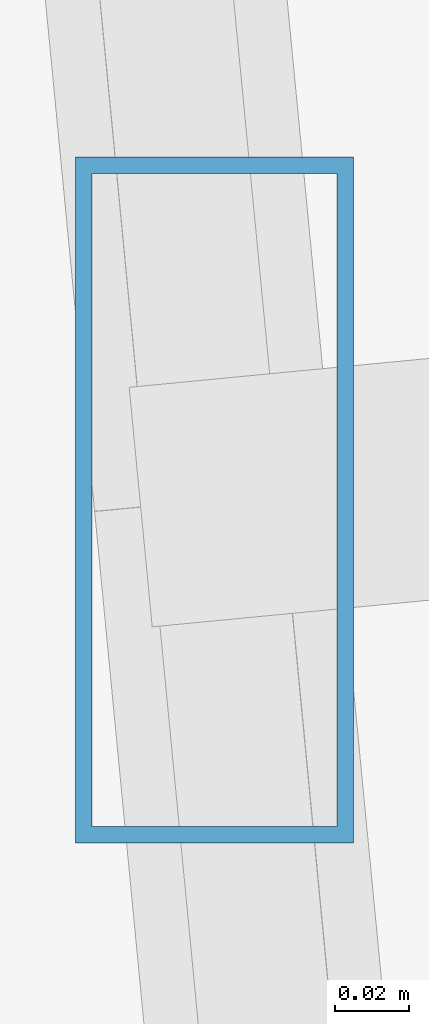
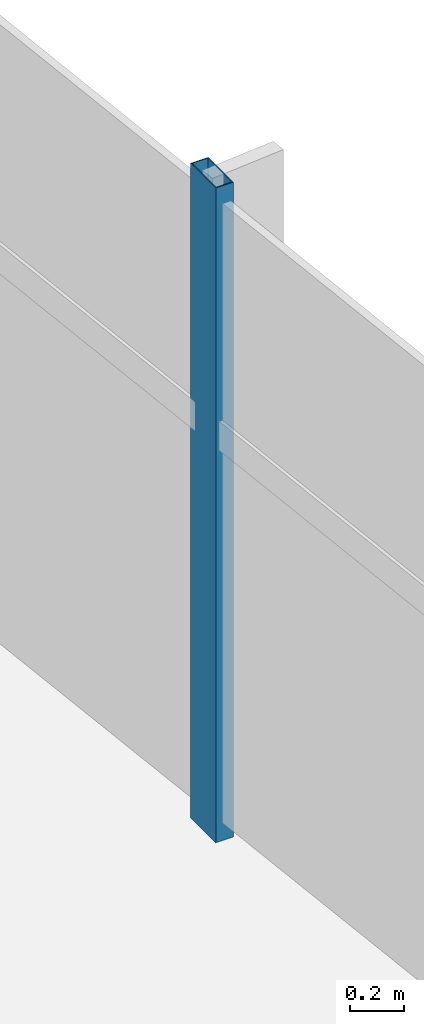
# One storey, part 16 of 27: 1 member, 1 element without a shape of its own.
"""IFC4 building model written with IfcOpenShell, lengths in metres."""

from ifc_helpers import new_model, si_unit, direction, frame, origin, origin_2d, place, context, subcontext, project, spatial, hollow_rectangle, extrude, source, transform, mapped, material, material_profile, profile_set, type_object, type_shapes, element, aggregate, save


model = new_model("IFC4")

# Units and contexts
model_context = context("Model", 3, precision=1e-05, world=origin(), true_north=direction((0.0, 1.0)))
body_context = subcontext(model_context, "Body", "Model", "MODEL_VIEW")
ifc_project = project(units=[si_unit("LENGTHUNIT", "METRE"), si_unit("AREAUNIT", "SQUARE_METRE"), si_unit("VOLUMEUNIT", "CUBIC_METRE"), si_unit("PLANEANGLEUNIT", "RADIAN"), si_unit("MASSUNIT", "GRAM", prefix="KILO")], contexts=[model_context])

# Site, building, storey
site_placement = place(None, origin())
site = spatial("IfcSite", under=ifc_project, at=site_placement, CompositionType="ELEMENT")
building_placement = place(site_placement, origin())
building = spatial("IfcBuilding", under=site, at=building_placement, Name="Astriad Promenade Condominiums", CompositionType="ELEMENT")
storey_placement = place(building_placement, frame((0.0, 0.0, 109.800048828125)))
storey = spatial("IfcBuildingStorey", under=building, at=storey_placement, Name="L31", CompositionType="ELEMENT", Elevation=109.800048828125)

# Curtain wall, member
ifc_material_1 = material(Name="Anodised aluminium Black Dark Glass Unitised", Category="aluminium")
curtain_wall_type = type_object("IfcCurtainWallType", Name="CW-B2-DARK", PredefinedType="USERDEFINED", material=ifc_material_1)
curtain_wall_placement = place(storey_placement, origin())
curtain_wall = element("IfcCurtainWall", 1, at=curtain_wall_placement, inside=storey, type_object=curtain_wall_type, Name="CW-L31-E", ObjectType="UNITISED_CURTAIN_WALL", PredefinedType="USERDEFINED")
ifc_material_2 = material(Name="Anodised aluminium 6063-T6 Black", Category="aluminium")
ifc_material_profile = material_profile(ifc_material_2, hollow_rectangle(XDim=0.074951171875, YDim=0.18505859375, WallThickness=0.00439453125, at=origin_2d()), Name="ALU-MUL-75X185")
ifc_profile_set = profile_set([ifc_material_profile], Name="Anodised aluminium 6063-T6 Black")
member_type = type_object("IfcMemberType", Name="MUL-ALU-MUL-75X185", PredefinedType="MULLION", material=ifc_profile_set)
shared_shape = source(origin(), body_context, "Body", "SweptSolid", [
    extrude(hollow_rectangle(XDim=0.074951171875, YDim=0.18505859375, WallThickness=0.00439453125, at=origin_2d()), origin(), (0.0, 0.0, 1.0), 2.93994140625),
])
type_shapes(member_type, [shared_shape])
member_placement = place(storey_placement, frame((68.972900390625, 16.6552734375, 0.0), z_axis=(0.0, 0.0, 1.0), x_axis=(1.0, 0.0, 0.0)))
member = element("IfcMember", 2, at=member_placement, type_object=member_type, Name="CW-L31-E-MUL-02", PredefinedType="MULLION", context=body_context, shape_type="MappedRepresentation", body=[
    mapped(shared_shape, transform((0.0, 0.0, 0.0), scale=1.0)),
])
aggregate(curtain_wall, [member])

save(model, "model.ifc")
